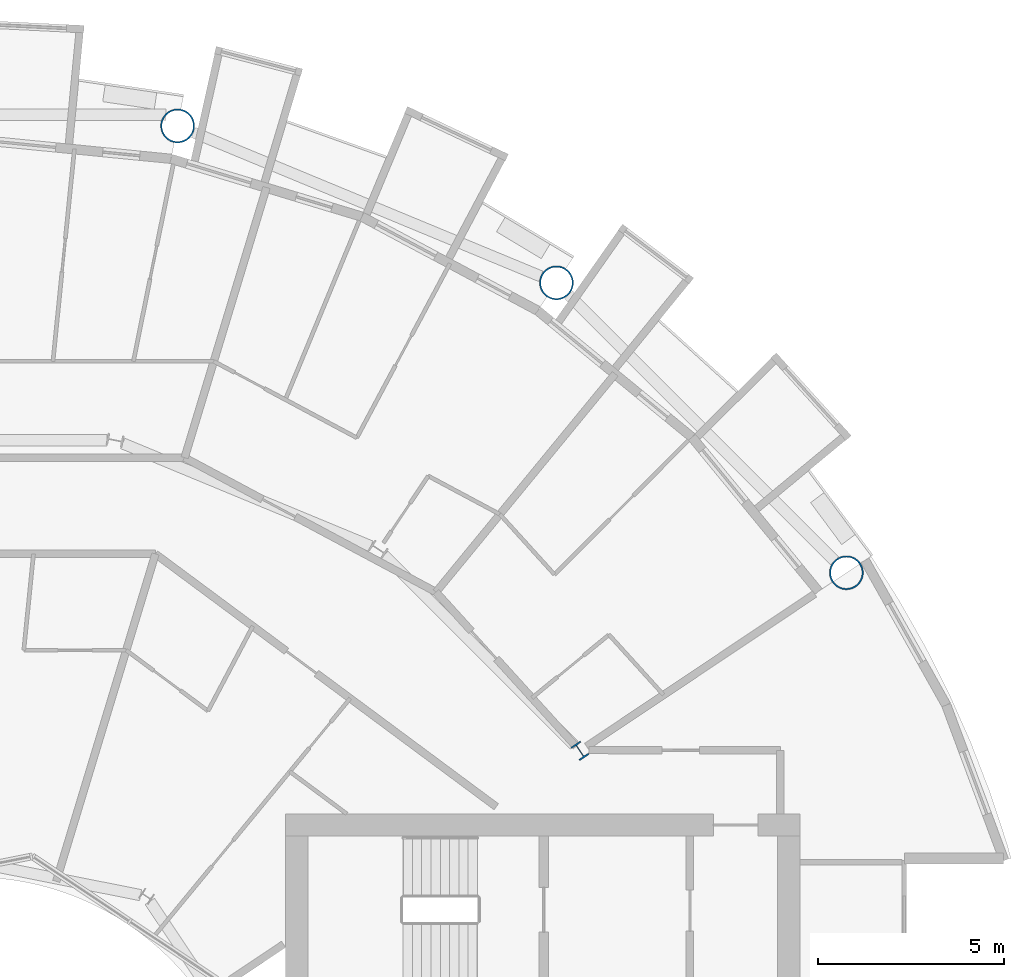
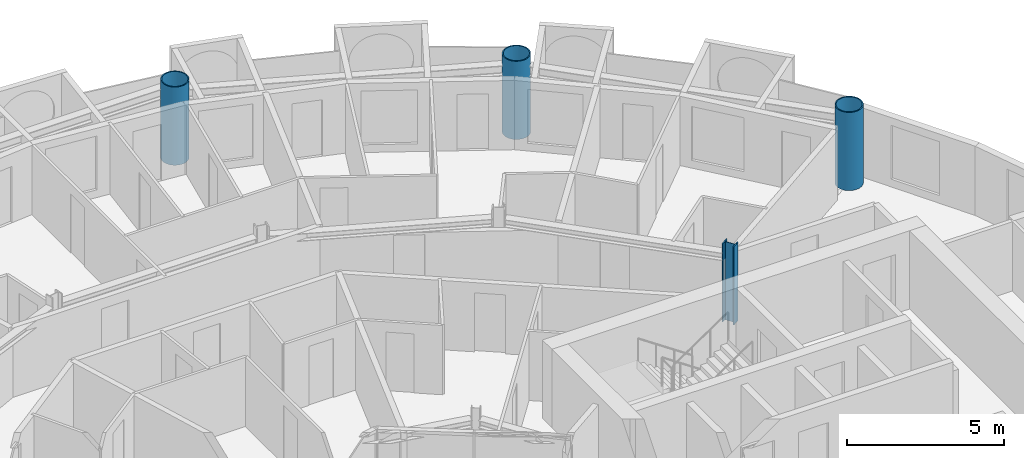
# One storey, part 4 of 27: 4 columns.
"""IFC4 building model written with IfcOpenShell, lengths in metres."""

from ifc_helpers import new_model, si_unit, direction, frame, origin, origin_2d, place, context, subcontext, project, spatial, hollow_circle, i_section, extrude, material, material_profile, profile_set, type_object, element, save


model = new_model("IFC4")

# Units and contexts
model_context = context("Model", 3, precision=1e-05, world=origin(), true_north=direction((0.0, 1.0)))
body_context = subcontext(model_context, "Body", "Model", "MODEL_VIEW")
ifc_project = project(units=[si_unit("LENGTHUNIT", "METRE"), si_unit("AREAUNIT", "SQUARE_METRE"), si_unit("VOLUMEUNIT", "CUBIC_METRE"), si_unit("PLANEANGLEUNIT", "RADIAN"), si_unit("MASSUNIT", "GRAM", prefix="KILO")], contexts=[model_context])

# Site, building, storey
site_placement = place(None, origin())
site = spatial("IfcSite", under=ifc_project, at=site_placement, CompositionType="ELEMENT")
building_placement = place(site_placement, origin())
building = spatial("IfcBuilding", under=site, at=building_placement, Name="Maasbend Ring Residences", CompositionType="ELEMENT")
storey_placement = place(building_placement, frame((0.0, 0.0, 120.800048828125)))
storey = spatial("IfcBuildingStorey", under=building, at=storey_placement, Name="L34", CompositionType="ELEMENT", Elevation=120.800048828125)

# Columns
ifc_material_1 = material(Name="Composite concrete-filled steel tube S460NH / C80/95", Category="concrete")
ifc_material_profile_1 = material_profile(ifc_material_1, hollow_circle(Radius=0.45703125, WallThickness=0.0400390625, at=origin_2d()), Name="Composite tube column CHS 914x40")
ifc_profile_set_1 = profile_set([ifc_material_profile_1], Name="Composite concrete-filled steel tube S460NH / C80/95")
column_type_1 = type_object("IfcColumnType", Name="Composite tube column CHS 914x40", PredefinedType="COLUMN", material=ifc_profile_set_1)
for number, where, z_axis, x_axis, name in (
    (1, (23.447509765625, 15.6669921875, 0.0), (0.0, 0.0, 1.0), (1.0, 0.0, 0.0), "Outer column R2"),
    (2, (15.6669921875, 23.447509765625, 0.0), (0.0, 0.0, 1.0), (1.0, 0.0, 0.0), "Outer column R3"),
    (3, (5.50146484375, 27.658203125, 0.0), (0.0, 0.0, 1.0), (1.0, 0.0, 0.0), "Outer column R4"),
):
    element("IfcColumn", number, at=place(storey_placement, frame(where, z_axis=z_axis, x_axis=x_axis)), inside=storey, type_object=column_type_1, Name=name, PredefinedType="COLUMN", context=body_context, shape_type="SweptSolid", body=[
        extrude(hollow_circle(Radius=0.45703125, WallThickness=0.0400390625, at=origin_2d()), origin(), (0.0, 0.0, 1.0), 3.050048828125),
    ])
ifc_material_2 = material(Name="Steel S460M", Category="steel")
ifc_material_profile_2 = material_profile(ifc_material_2, i_section(OverallWidth=0.306884765625, OverallDepth=0.431884765625, WebThickness=0.02099609375, FlangeThickness=0.0400390625, FilletRadius=0.027099609375, at=origin_2d()), Name="HEM 400")
ifc_profile_set_2 = profile_set([ifc_material_profile_2], Name="Steel S460M")
column_type_2 = type_object("IfcColumnType", Name="Steel column HEM 400", PredefinedType="COLUMN", material=ifc_profile_set_2)
column_placement = place(storey_placement, frame((16.296875, 10.88916015625, 0.0), z_axis=(0.0, 0.0, 1.0), x_axis=(0.831469612303, 0.55557023302, 0.0)))
element("IfcColumn", 4, at=column_placement, inside=storey, type_object=column_type_2, Name="Corridor ring column R2", PredefinedType="COLUMN", context=body_context, shape_type="SweptSolid", body=[
    extrude(i_section(OverallWidth=0.306884765625, OverallDepth=0.431884765625, WebThickness=0.02099609375, FlangeThickness=0.0400390625, FilletRadius=0.027099609375, at=origin_2d()), origin(), (0.0, 0.0, 1.0), 3.050048828125),
])

save(model, "model.ifc")
